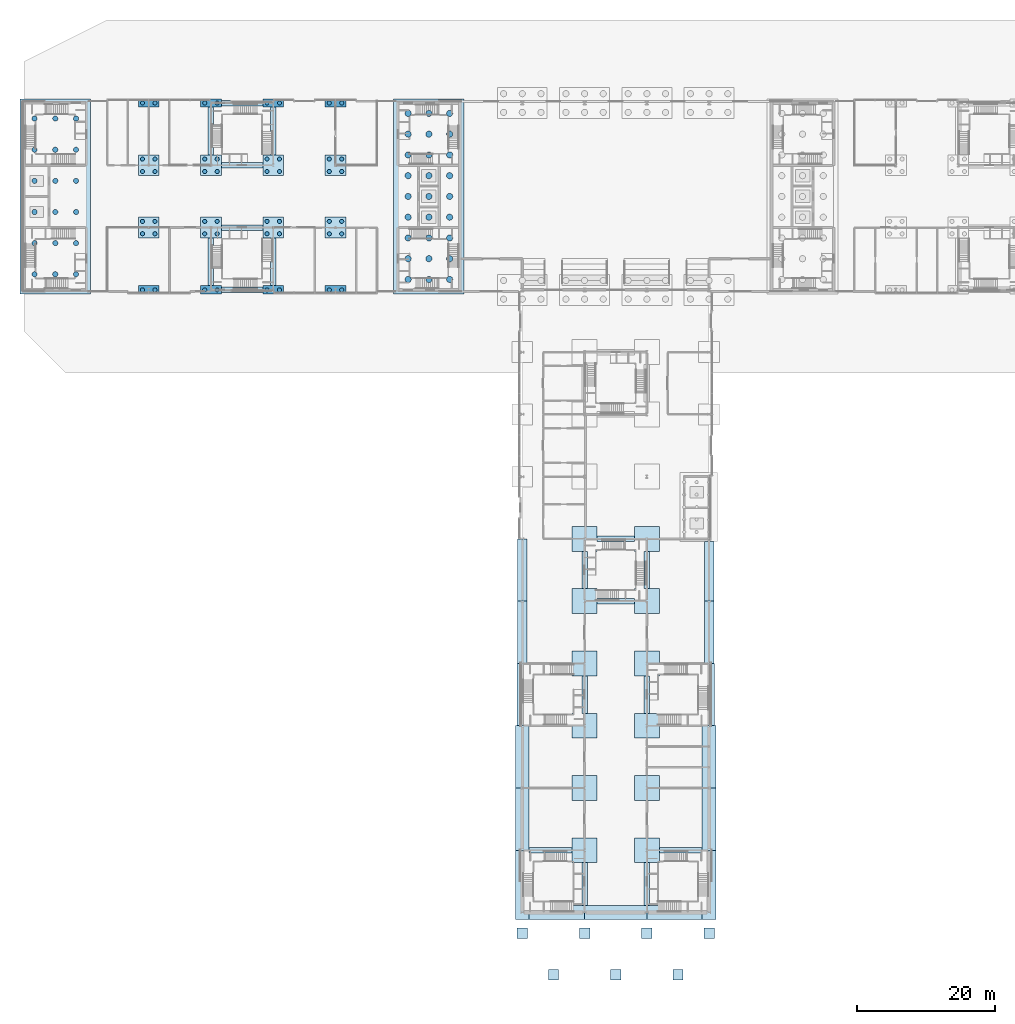
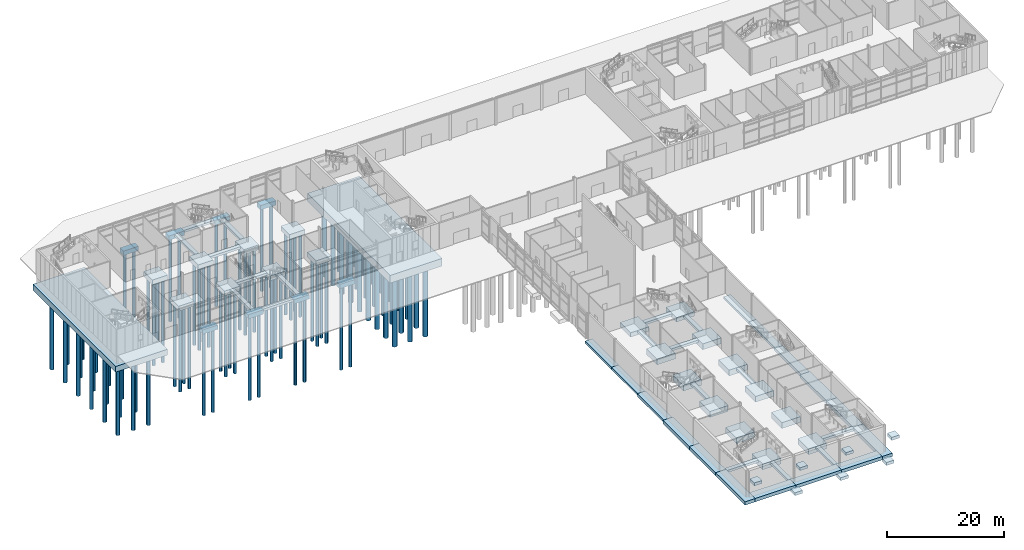
# One storey, part 1 of 45: 93 piles, 70 footings.
"""IFC4 building model written with IfcOpenShell, lengths in metres."""

from ifc_helpers import new_model, si_unit, direction, frame, origin, origin_2d, place, context, subcontext, project, spatial, rectangle, circle, extrude, material, layer, layer_set, material_profile, profile_set, type_object, element, save


model = new_model("IFC4")

# Units and contexts
model_context = context("Model", 3, precision=1e-05, world=origin(), true_north=direction((0.0, 1.0)))
body_context = subcontext(model_context, "Body", "Model", "MODEL_VIEW")
ifc_project = project(units=[si_unit("LENGTHUNIT", "METRE"), si_unit("AREAUNIT", "SQUARE_METRE"), si_unit("VOLUMEUNIT", "CUBIC_METRE"), si_unit("PLANEANGLEUNIT", "RADIAN"), si_unit("MASSUNIT", "GRAM", prefix="KILO")], contexts=[model_context])

# Site, building, storey
site_placement = place(None, origin())
site = spatial("IfcSite", under=ifc_project, at=site_placement, CompositionType="ELEMENT")
building_placement = place(site_placement, origin())
building = spatial("IfcBuilding", under=site, at=building_placement, Name="Azimuth Sports and Learning Centre", CompositionType="ELEMENT")
storey_placement = place(building_placement, origin())
storey = spatial("IfcBuildingStorey", under=building, at=storey_placement, Name="L00", CompositionType="ELEMENT", Elevation=0.0)

# Piles
ifc_material_1 = material(Name="Concrete C35/45", Category="concrete")
ifc_material_profile_1 = material_profile(ifc_material_1, circle(Radius=0.300048828125, at=origin_2d()), Name="BP 600")
ifc_profile_set_1 = profile_set([ifc_material_profile_1], Name="Concrete C35/45")
pile_type_1 = type_object("IfcPileType", Name="Bored pile BP 600", PredefinedType="BORED", material=ifc_profile_set_1)
for number, where, z_axis, x_axis, name in (
    (1, (17.10009765625, 90.0, -1.199951171875), (0.0, 0.0, -1.0), (1.0, 0.0, 0.0), "Pile CAP-3L 1"),
    (2, (18.89990234375, 90.0, -1.199951171875), (0.0, 0.0, -1.0), (1.0, 0.0, 0.0), "Pile CAP-3L 2"),
    (3, (26.10009765625, 90.0, -1.199951171875), (0.0, 0.0, -1.0), (1.0, 0.0, 0.0), "Pile CAP-4L 1"),
    (4, (27.89990234375, 90.0, -1.199951171875), (0.0, 0.0, -1.0), (1.0, 0.0, 0.0), "Pile CAP-4L 2"),
    (5, (35.10009765625, 90.0, -1.199951171875), (0.0, 0.0, -1.0), (1.0, 0.0, 0.0), "Pile CAP-5L 1"),
    (6, (36.89990234375, 90.0, -1.199951171875), (0.0, 0.0, -1.0), (1.0, 0.0, 0.0), "Pile CAP-5L 2"),
    (7, (44.10009765625, 90.0, -1.199951171875), (0.0, 0.0, -1.0), (1.0, 0.0, 0.0), "Pile CAP-6L 1"),
    (8, (45.89990234375, 90.0, -1.199951171875), (0.0, 0.0, -1.0), (1.0, 0.0, 0.0), "Pile CAP-6L 2"),
):
    element("IfcPile", number, at=place(storey_placement, frame(where, z_axis=z_axis, x_axis=x_axis)), inside=storey, type_object=pile_type_1, Name=name, PredefinedType="BORED", context=body_context, shape_type="SweptSolid", body=[
        extrude(circle(Radius=0.300048828125, at=origin_2d()), origin(), (0.0, 0.0, 1.0), 17.300048828125),
    ])
for number, where, z_axis, x_axis, name in (
    (9, (17.10009765625, 98.10009765625, -1.300048828125), (0.0, 0.0, -1.0), (1.0, 0.0, 0.0), "Pile CAP-3M 1"),
    (10, (18.89990234375, 98.10009765625, -1.300048828125), (0.0, 0.0, -1.0), (1.0, 0.0, 0.0), "Pile CAP-3M 2"),
    (11, (17.10009765625, 99.89990234375, -1.300048828125), (0.0, 0.0, -1.0), (1.0, 0.0, 0.0), "Pile CAP-3M 3"),
    (12, (18.89990234375, 99.89990234375, -1.300048828125), (0.0, 0.0, -1.0), (1.0, 0.0, 0.0), "Pile CAP-3M 4"),
    (13, (26.10009765625, 98.10009765625, -1.300048828125), (0.0, 0.0, -1.0), (1.0, 0.0, 0.0), "Pile CAP-4M 1"),
    (14, (27.89990234375, 98.10009765625, -1.300048828125), (0.0, 0.0, -1.0), (1.0, 0.0, 0.0), "Pile CAP-4M 2"),
    (15, (26.10009765625, 99.89990234375, -1.300048828125), (0.0, 0.0, -1.0), (1.0, 0.0, 0.0), "Pile CAP-4M 3"),
    (16, (27.89990234375, 99.89990234375, -1.300048828125), (0.0, 0.0, -1.0), (1.0, 0.0, 0.0), "Pile CAP-4M 4"),
    (17, (35.10009765625, 98.10009765625, -1.300048828125), (0.0, 0.0, -1.0), (1.0, 0.0, 0.0), "Pile CAP-5M 1"),
    (18, (36.89990234375, 98.10009765625, -1.300048828125), (0.0, 0.0, -1.0), (1.0, 0.0, 0.0), "Pile CAP-5M 2"),
    (19, (35.10009765625, 99.89990234375, -1.300048828125), (0.0, 0.0, -1.0), (1.0, 0.0, 0.0), "Pile CAP-5M 3"),
    (20, (36.89990234375, 99.89990234375, -1.300048828125), (0.0, 0.0, -1.0), (1.0, 0.0, 0.0), "Pile CAP-5M 4"),
    (21, (44.10009765625, 98.10009765625, -1.300048828125), (0.0, 0.0, -1.0), (1.0, 0.0, 0.0), "Pile CAP-6M 1"),
    (22, (45.89990234375, 98.10009765625, -1.300048828125), (0.0, 0.0, -1.0), (1.0, 0.0, 0.0), "Pile CAP-6M 2"),
    (23, (44.10009765625, 99.89990234375, -1.300048828125), (0.0, 0.0, -1.0), (1.0, 0.0, 0.0), "Pile CAP-6M 3"),
    (24, (45.89990234375, 99.89990234375, -1.300048828125), (0.0, 0.0, -1.0), (1.0, 0.0, 0.0), "Pile CAP-6M 4"),
    (25, (17.10009765625, 107.10009765625, -1.300048828125), (0.0, 0.0, -1.0), (1.0, 0.0, 0.0), "Pile CAP-3N 1"),
    (26, (18.89990234375, 107.10009765625, -1.300048828125), (0.0, 0.0, -1.0), (1.0, 0.0, 0.0), "Pile CAP-3N 2"),
    (27, (17.10009765625, 108.89990234375, -1.300048828125), (0.0, 0.0, -1.0), (1.0, 0.0, 0.0), "Pile CAP-3N 3"),
    (28, (18.89990234375, 108.89990234375, -1.300048828125), (0.0, 0.0, -1.0), (1.0, 0.0, 0.0), "Pile CAP-3N 4"),
    (29, (26.10009765625, 107.10009765625, -1.300048828125), (0.0, 0.0, -1.0), (1.0, 0.0, 0.0), "Pile CAP-4N 1"),
    (30, (27.89990234375, 107.10009765625, -1.300048828125), (0.0, 0.0, -1.0), (1.0, 0.0, 0.0), "Pile CAP-4N 2"),
    (31, (26.10009765625, 108.89990234375, -1.300048828125), (0.0, 0.0, -1.0), (1.0, 0.0, 0.0), "Pile CAP-4N 3"),
    (32, (27.89990234375, 108.89990234375, -1.300048828125), (0.0, 0.0, -1.0), (1.0, 0.0, 0.0), "Pile CAP-4N 4"),
    (33, (35.10009765625, 107.10009765625, -1.300048828125), (0.0, 0.0, -1.0), (1.0, 0.0, 0.0), "Pile CAP-5N 1"),
    (34, (36.89990234375, 107.10009765625, -1.300048828125), (0.0, 0.0, -1.0), (1.0, 0.0, 0.0), "Pile CAP-5N 2"),
    (35, (35.10009765625, 108.89990234375, -1.300048828125), (0.0, 0.0, -1.0), (1.0, 0.0, 0.0), "Pile CAP-5N 3"),
    (36, (36.89990234375, 108.89990234375, -1.300048828125), (0.0, 0.0, -1.0), (1.0, 0.0, 0.0), "Pile CAP-5N 4"),
    (37, (44.10009765625, 107.10009765625, -1.300048828125), (0.0, 0.0, -1.0), (1.0, 0.0, 0.0), "Pile CAP-6N 1"),
    (38, (45.89990234375, 107.10009765625, -1.300048828125), (0.0, 0.0, -1.0), (1.0, 0.0, 0.0), "Pile CAP-6N 2"),
    (39, (44.10009765625, 108.89990234375, -1.300048828125), (0.0, 0.0, -1.0), (1.0, 0.0, 0.0), "Pile CAP-6N 3"),
    (40, (45.89990234375, 108.89990234375, -1.300048828125), (0.0, 0.0, -1.0), (1.0, 0.0, 0.0), "Pile CAP-6N 4"),
):
    element("IfcPile", number, at=place(storey_placement, frame(where, z_axis=z_axis, x_axis=x_axis)), inside=storey, type_object=pile_type_1, Name=name, PredefinedType="BORED", context=body_context, shape_type="SweptSolid", body=[
        extrude(circle(Radius=0.300048828125, at=origin_2d()), origin(), (0.0, 0.0, 1.0), 17.199951171875),
    ])
for number, where, z_axis, x_axis, name in (
    (41, (17.10009765625, 117.0, -1.199951171875), (0.0, 0.0, -1.0), (1.0, 0.0, 0.0), "Pile CAP-3P 1"),
    (42, (18.89990234375, 117.0, -1.199951171875), (0.0, 0.0, -1.0), (1.0, 0.0, 0.0), "Pile CAP-3P 2"),
    (43, (26.10009765625, 117.0, -1.199951171875), (0.0, 0.0, -1.0), (1.0, 0.0, 0.0), "Pile CAP-4P 1"),
    (44, (27.89990234375, 117.0, -1.199951171875), (0.0, 0.0, -1.0), (1.0, 0.0, 0.0), "Pile CAP-4P 2"),
    (45, (35.10009765625, 117.0, -1.199951171875), (0.0, 0.0, -1.0), (1.0, 0.0, 0.0), "Pile CAP-5P 1"),
    (46, (36.89990234375, 117.0, -1.199951171875), (0.0, 0.0, -1.0), (1.0, 0.0, 0.0), "Pile CAP-5P 2"),
    (47, (44.10009765625, 117.0, -1.199951171875), (0.0, 0.0, -1.0), (1.0, 0.0, 0.0), "Pile CAP-6P 1"),
    (48, (45.89990234375, 117.0, -1.199951171875), (0.0, 0.0, -1.0), (1.0, 0.0, 0.0), "Pile CAP-6P 2"),
):
    element("IfcPile", number, at=place(storey_placement, frame(where, z_axis=z_axis, x_axis=x_axis)), inside=storey, type_object=pile_type_1, Name=name, PredefinedType="BORED", context=body_context, shape_type="SweptSolid", body=[
        extrude(circle(Radius=0.300048828125, at=origin_2d()), origin(), (0.0, 0.0, 1.0), 17.300048828125),
    ])
ifc_material_2 = material(Name="Concrete C35/45", Category="concrete")
ifc_material_profile_2 = material_profile(ifc_material_2, circle(Radius=0.375, at=origin_2d()), Name="BP 750")
ifc_profile_set_2 = profile_set([ifc_material_profile_2], Name="Concrete C35/45")
pile_type_2 = type_object("IfcPileType", Name="Bored pile BP 750", PredefinedType="BORED", material=ifc_profile_set_2)
for number, where, z_axis, x_axis, name in (
    (49, (1.5, 92.25, -3.10009765625), (0.0, 0.0, -1.0), (1.0, 0.0, 0.0), "Pile RAFT-WW 1"),
    (50, (4.5, 92.25, -3.10009765625), (0.0, 0.0, -1.0), (1.0, 0.0, 0.0), "Pile RAFT-WW 2"),
    (51, (7.5, 92.25, -3.10009765625), (0.0, 0.0, -1.0), (1.0, 0.0, 0.0), "Pile RAFT-WW 3"),
    (52, (1.5, 96.75, -3.10009765625), (0.0, 0.0, -1.0), (1.0, 0.0, 0.0), "Pile RAFT-WW 4"),
    (53, (4.5, 96.75, -3.10009765625), (0.0, 0.0, -1.0), (1.0, 0.0, 0.0), "Pile RAFT-WW 5"),
    (54, (7.5, 96.75, -3.10009765625), (0.0, 0.0, -1.0), (1.0, 0.0, 0.0), "Pile RAFT-WW 6"),
    (55, (1.5, 101.25, -3.10009765625), (0.0, 0.0, -1.0), (1.0, 0.0, 0.0), "Pile RAFT-WW 7"),
    (56, (4.5, 101.25, -3.10009765625), (0.0, 0.0, -1.0), (1.0, 0.0, 0.0), "Pile RAFT-WW 8"),
    (57, (7.5, 101.25, -3.10009765625), (0.0, 0.0, -1.0), (1.0, 0.0, 0.0), "Pile RAFT-WW 9"),
    (58, (1.5, 105.75, -3.10009765625), (0.0, 0.0, -1.0), (1.0, 0.0, 0.0), "Pile RAFT-WW 10"),
    (59, (4.5, 105.75, -3.10009765625), (0.0, 0.0, -1.0), (1.0, 0.0, 0.0), "Pile RAFT-WW 11"),
    (60, (7.5, 105.75, -3.10009765625), (0.0, 0.0, -1.0), (1.0, 0.0, 0.0), "Pile RAFT-WW 12"),
    (61, (1.5, 110.25, -3.10009765625), (0.0, 0.0, -1.0), (1.0, 0.0, 0.0), "Pile RAFT-WW 13"),
    (62, (4.5, 110.25, -3.10009765625), (0.0, 0.0, -1.0), (1.0, 0.0, 0.0), "Pile RAFT-WW 14"),
    (63, (7.5, 110.25, -3.10009765625), (0.0, 0.0, -1.0), (1.0, 0.0, 0.0), "Pile RAFT-WW 15"),
    (64, (1.5, 114.75, -3.10009765625), (0.0, 0.0, -1.0), (1.0, 0.0, 0.0), "Pile RAFT-WW 16"),
    (65, (4.5, 114.75, -3.10009765625), (0.0, 0.0, -1.0), (1.0, 0.0, 0.0), "Pile RAFT-WW 17"),
    (66, (7.5, 114.75, -3.10009765625), (0.0, 0.0, -1.0), (1.0, 0.0, 0.0), "Pile RAFT-WW 18"),
):
    element("IfcPile", number, at=place(storey_placement, frame(where, z_axis=z_axis, x_axis=x_axis)), inside=storey, type_object=pile_type_2, Name=name, PredefinedType="BORED", context=body_context, shape_type="SweptSolid", body=[
        extrude(circle(Radius=0.375, at=origin_2d()), origin(), (0.0, 0.0, 1.0), 15.39990234375),
    ])
ifc_material_3 = material(Name="Concrete C35/45", Category="concrete")
ifc_material_profile_3 = material_profile(ifc_material_3, circle(Radius=0.449951171875, at=origin_2d()), Name="BP 900")
ifc_profile_set_3 = profile_set([ifc_material_profile_3], Name="Concrete C35/45")
pile_type_3 = type_object("IfcPileType", Name="Bored pile BP 900", PredefinedType="BORED", material=ifc_profile_set_3)
for number, where, z_axis, x_axis, name in (
    (67, (55.5, 91.5, -3.5), (0.0, 0.0, -1.0), (1.0, 0.0, 0.0), "Pile RAFT-W 1"),
    (68, (58.5, 91.5, -3.5), (0.0, 0.0, -1.0), (1.0, 0.0, 0.0), "Pile RAFT-W 2"),
    (69, (61.5, 91.5, -3.5), (0.0, 0.0, -1.0), (1.0, 0.0, 0.0), "Pile RAFT-W 3"),
    (70, (55.5, 94.5, -3.5), (0.0, 0.0, -1.0), (1.0, 0.0, 0.0), "Pile RAFT-W 4"),
    (71, (58.5, 94.5, -3.5), (0.0, 0.0, -1.0), (1.0, 0.0, 0.0), "Pile RAFT-W 5"),
    (72, (61.5, 94.5, -3.5), (0.0, 0.0, -1.0), (1.0, 0.0, 0.0), "Pile RAFT-W 6"),
    (73, (55.5, 97.5, -3.5), (0.0, 0.0, -1.0), (1.0, 0.0, 0.0), "Pile RAFT-W 7"),
    (74, (58.5, 97.5, -3.5), (0.0, 0.0, -1.0), (1.0, 0.0, 0.0), "Pile RAFT-W 8"),
    (75, (61.5, 97.5, -3.5), (0.0, 0.0, -1.0), (1.0, 0.0, 0.0), "Pile RAFT-W 9"),
    (76, (55.5, 100.5, -3.5), (0.0, 0.0, -1.0), (1.0, 0.0, 0.0), "Pile RAFT-W 10"),
    (77, (58.5, 100.5, -3.5), (0.0, 0.0, -1.0), (1.0, 0.0, 0.0), "Pile RAFT-W 11"),
    (78, (61.5, 100.5, -3.5), (0.0, 0.0, -1.0), (1.0, 0.0, 0.0), "Pile RAFT-W 12"),
    (79, (55.5, 103.5, -3.5), (0.0, 0.0, -1.0), (1.0, 0.0, 0.0), "Pile RAFT-W 13"),
    (80, (58.5, 103.5, -3.5), (0.0, 0.0, -1.0), (1.0, 0.0, 0.0), "Pile RAFT-W 14"),
    (81, (61.5, 103.5, -3.5), (0.0, 0.0, -1.0), (1.0, 0.0, 0.0), "Pile RAFT-W 15"),
    (82, (55.5, 106.5, -3.5), (0.0, 0.0, -1.0), (1.0, 0.0, 0.0), "Pile RAFT-W 16"),
    (83, (58.5, 106.5, -3.5), (0.0, 0.0, -1.0), (1.0, 0.0, 0.0), "Pile RAFT-W 17"),
    (84, (61.5, 106.5, -3.5), (0.0, 0.0, -1.0), (1.0, 0.0, 0.0), "Pile RAFT-W 18"),
    (85, (55.5, 109.5, -3.5), (0.0, 0.0, -1.0), (1.0, 0.0, 0.0), "Pile RAFT-W 19"),
    (86, (58.5, 109.5, -3.5), (0.0, 0.0, -1.0), (1.0, 0.0, 0.0), "Pile RAFT-W 20"),
    (87, (61.5, 109.5, -3.5), (0.0, 0.0, -1.0), (1.0, 0.0, 0.0), "Pile RAFT-W 21"),
    (88, (55.5, 112.5, -3.5), (0.0, 0.0, -1.0), (1.0, 0.0, 0.0), "Pile RAFT-W 22"),
    (89, (58.5, 112.5, -3.5), (0.0, 0.0, -1.0), (1.0, 0.0, 0.0), "Pile RAFT-W 23"),
    (90, (61.5, 112.5, -3.5), (0.0, 0.0, -1.0), (1.0, 0.0, 0.0), "Pile RAFT-W 24"),
    (91, (55.5, 115.5, -3.5), (0.0, 0.0, -1.0), (1.0, 0.0, 0.0), "Pile RAFT-W 25"),
    (92, (58.5, 115.5, -3.5), (0.0, 0.0, -1.0), (1.0, 0.0, 0.0), "Pile RAFT-W 26"),
    (93, (61.5, 115.5, -3.5), (0.0, 0.0, -1.0), (1.0, 0.0, 0.0), "Pile RAFT-W 27"),
):
    element("IfcPile", number, at=place(storey_placement, frame(where, z_axis=z_axis, x_axis=x_axis)), inside=storey, type_object=pile_type_3, Name=name, PredefinedType="BORED", context=body_context, shape_type="SweptSolid", body=[
        extrude(circle(Radius=0.449951171875, at=origin_2d()), origin(), (0.0, 0.0, 1.0), 15.0),
    ])

# Footings
ifc_material_4 = material(Name="Concrete C35/45", Category="concrete")
ifc_layer_1 = layer(ifc_material_4, 1.199951171875)
ifc_layer_set_1 = layer_set([ifc_layer_1], Name="Concrete C35/45")
footing_type_1 = type_object("IfcFootingType", Name="Core raft 10200x28200x1200", PredefinedType="PILE_CAP", material=ifc_layer_set_1)
footing_1_placement = place(storey_placement, frame((4.5, 103.5, -3.10009765625), z_axis=(0.0, 0.0, 1.0), x_axis=(1.0, 0.0, 0.0)))
element("IfcFooting", 94, at=footing_1_placement, inside=storey, type_object=footing_type_1, Name="Raft core WW", PredefinedType="PILE_CAP", context=body_context, shape_type="SweptSolid", body=[
    extrude(rectangle(XDim=10.199951171875, YDim=28.199951171875, at=origin_2d()), origin(), (0.0, 0.0, 1.0), 1.199951171875),
])
ifc_material_5 = material(Name="Concrete C35/45", Category="concrete")
ifc_layer_2 = layer(ifc_material_5, 1.60009765625)
ifc_layer_set_2 = layer_set([ifc_layer_2], Name="Concrete C35/45")
footing_type_2 = type_object("IfcFootingType", Name="Core raft 10200x28200x1600", PredefinedType="PILE_CAP", material=ifc_layer_set_2)
footing_2_placement = place(storey_placement, frame((58.5, 103.5, -3.5), z_axis=(0.0, 0.0, 1.0), x_axis=(1.0, 0.0, 0.0)))
element("IfcFooting", 95, at=footing_2_placement, inside=storey, type_object=footing_type_2, Name="Raft core W", PredefinedType="PILE_CAP", context=body_context, shape_type="SweptSolid", body=[
    extrude(rectangle(XDim=10.199951171875, YDim=28.199951171875, at=origin_2d()), origin(), (0.0, 0.0, 1.0), 1.60009765625),
])
ifc_material_6 = material(Name="Concrete C35/45", Category="concrete")
ifc_layer_3 = layer(ifc_material_6, 0.60009765625)
ifc_layer_set_3 = layer_set([ifc_layer_3], Name="Concrete C35/45")
footing_type_3 = type_object("IfcFootingType", Name="Pad footing 1500x1500x600", PredefinedType="PAD_FOOTING", material=ifc_layer_set_3)
for number, where, z_axis, x_axis, name in (
    (96, (72.0, -3.0, 4.599853515625), (0.0, 0.0, 1.0), (1.0, 0.0, 0.0), "Plaza pad 1"),
    (97, (81.0, -3.0, 4.599853515625), (0.0, 0.0, 1.0), (1.0, 0.0, 0.0), "Plaza pad 2"),
    (98, (90.0, -3.0, 4.599853515625), (0.0, 0.0, 1.0), (1.0, 0.0, 0.0), "Plaza pad 3"),
    (99, (99.0, -3.0, 4.599853515625), (0.0, 0.0, 1.0), (1.0, 0.0, 0.0), "Plaza pad 4"),
    (100, (76.5, -9.0, 4.599853515625), (0.0, 0.0, 1.0), (1.0, 0.0, 0.0), "Plaza pad 5"),
    (101, (85.5, -9.0, 4.599853515625), (0.0, 0.0, 1.0), (1.0, 0.0, 0.0), "Plaza pad 6"),
    (102, (94.5, -9.0, 4.599853515625), (0.0, 0.0, 1.0), (1.0, 0.0, 0.0), "Plaza pad 7"),
):
    element("IfcFooting", number, at=place(storey_placement, frame(where, z_axis=z_axis, x_axis=x_axis)), inside=storey, type_object=footing_type_3, Name=name, PredefinedType="PAD_FOOTING", context=body_context, shape_type="SweptSolid", body=[
        extrude(rectangle(XDim=1.5, YDim=1.5, at=origin_2d()), origin(), (0.0, 0.0, 1.0), 0.60009765625),
    ])
ifc_material_7 = material(Name="Concrete C35/45", Category="concrete")
ifc_layer_4 = layer(ifc_material_7, 1.199951171875)
ifc_layer_set_4 = layer_set([ifc_layer_4], Name="Concrete C35/45")
footing_type_4 = type_object("IfcFootingType", Name="Pad footing 3600x3600x1200", PredefinedType="PAD_FOOTING", material=ifc_layer_set_4)
for number, where, z_axis, x_axis, name in (
    (103, (81.0, 9.0, -1.5), (0.0, 0.0, 1.0), (1.0, 0.0, 0.0), "Pad 10B"),
    (104, (90.0, 9.0, -1.5), (0.0, 0.0, 1.0), (1.0, 0.0, 0.0), "Pad 11B"),
    (105, (81.0, 18.0, -1.5), (0.0, 0.0, 1.0), (1.0, 0.0, 0.0), "Pad 10C"),
    (106, (90.0, 18.0, -1.5), (0.0, 0.0, 1.0), (1.0, 0.0, 0.0), "Pad 11C"),
    (107, (81.0, 27.0, -1.5), (0.0, 0.0, 1.0), (1.0, 0.0, 0.0), "Pad 10D"),
    (108, (90.0, 27.0, -1.5), (0.0, 0.0, 1.0), (1.0, 0.0, 0.0), "Pad 11D"),
    (109, (81.0, 36.0, -1.5), (0.0, 0.0, 1.0), (1.0, 0.0, 0.0), "Pad 10E"),
    (110, (90.0, 36.0, -1.5), (0.0, 0.0, 1.0), (1.0, 0.0, 0.0), "Pad 11E"),
    (111, (81.0, 45.0, -1.5), (0.0, 0.0, 1.0), (1.0, 0.0, 0.0), "Pad 10F"),
    (112, (90.0, 45.0, -1.5), (0.0, 0.0, 1.0), (1.0, 0.0, 0.0), "Pad 11F"),
):
    element("IfcFooting", number, at=place(storey_placement, frame(where, z_axis=z_axis, x_axis=x_axis)), inside=storey, type_object=footing_type_4, Name=name, PredefinedType="PAD_FOOTING", context=body_context, shape_type="SweptSolid", body=[
        extrude(rectangle(XDim=3.60009765625, YDim=3.60009765625, at=origin_2d()), origin(), (0.0, 0.0, 1.0), 1.199951171875),
    ])
ifc_material_8 = material(Name="Concrete C35/45", Category="concrete")
ifc_layer_5 = layer(ifc_material_8, 0.89990234375)
ifc_layer_set_5 = layer_set([ifc_layer_5], Name="Concrete C35/45")
footing_type_5 = type_object("IfcFootingType", Name="Pad footing 3600x3600x900", PredefinedType="PAD_FOOTING", material=ifc_layer_set_5)
for number, where, z_axis, x_axis, name in (
    (113, (81.0, 54.0, -1.199951171875), (0.0, 0.0, 1.0), (1.0, 0.0, 0.0), "Pad 10G"),
    (114, (90.0, 54.0, -1.199951171875), (0.0, 0.0, 1.0), (1.0, 0.0, 0.0), "Pad 11G"),
):
    element("IfcFooting", number, at=place(storey_placement, frame(where, z_axis=z_axis, x_axis=x_axis)), inside=storey, type_object=footing_type_5, Name=name, PredefinedType="PAD_FOOTING", context=body_context, shape_type="SweptSolid", body=[
        extrude(rectangle(XDim=3.60009765625, YDim=3.60009765625, at=origin_2d()), origin(), (0.0, 0.0, 1.0), 0.89990234375),
    ])
ifc_material_9 = material(Name="Concrete C35/45", Category="concrete")
ifc_layer_6 = layer(ifc_material_9, 0.89990234375)
ifc_layer_set_6 = layer_set([ifc_layer_6], Name="Concrete C35/45")
footing_type_6 = type_object("IfcFootingType", Name="Pile cap 3000x1200x900", PredefinedType="PILE_CAP", material=ifc_layer_set_6)
for number, where, z_axis, x_axis, name in (
    (115, (18.0, 90.0, -1.199951171875), (0.0, 0.0, 1.0), (1.0, 0.0, 0.0), "Cap 3L"),
    (116, (27.0, 90.0, -1.199951171875), (0.0, 0.0, 1.0), (1.0, 0.0, 0.0), "Cap 4L"),
    (117, (36.0, 90.0, -1.199951171875), (0.0, 0.0, 1.0), (1.0, 0.0, 0.0), "Cap 5L"),
    (118, (45.0, 90.0, -1.199951171875), (0.0, 0.0, 1.0), (1.0, 0.0, 0.0), "Cap 6L"),
    (119, (18.0, 117.0, -1.199951171875), (0.0, 0.0, 1.0), (1.0, 0.0, 0.0), "Cap 3P"),
    (120, (27.0, 117.0, -1.199951171875), (0.0, 0.0, 1.0), (1.0, 0.0, 0.0), "Cap 4P"),
    (121, (36.0, 117.0, -1.199951171875), (0.0, 0.0, 1.0), (1.0, 0.0, 0.0), "Cap 5P"),
    (122, (45.0, 117.0, -1.199951171875), (0.0, 0.0, 1.0), (1.0, 0.0, 0.0), "Cap 6P"),
):
    element("IfcFooting", number, at=place(storey_placement, frame(where, z_axis=z_axis, x_axis=x_axis)), inside=storey, type_object=footing_type_6, Name=name, PredefinedType="PILE_CAP", context=body_context, shape_type="SweptSolid", body=[
        extrude(rectangle(XDim=3.0, YDim=1.199951171875, at=origin_2d()), origin(), (0.0, 0.0, 1.0), 0.89990234375),
    ])
ifc_material_10 = material(Name="Concrete C35/45", Category="concrete")
ifc_layer_7 = layer(ifc_material_10, 1.0)
ifc_layer_set_7 = layer_set([ifc_layer_7], Name="Concrete C35/45")
footing_type_7 = type_object("IfcFootingType", Name="Pile cap 3000x3000x1000", PredefinedType="PILE_CAP", material=ifc_layer_set_7)
for number, where, z_axis, x_axis, name in (
    (123, (18.0, 99.0, -1.300048828125), (0.0, 0.0, 1.0), (1.0, 0.0, 0.0), "Cap 3M"),
    (124, (27.0, 99.0, -1.300048828125), (0.0, 0.0, 1.0), (1.0, 0.0, 0.0), "Cap 4M"),
    (125, (36.0, 99.0, -1.300048828125), (0.0, 0.0, 1.0), (1.0, 0.0, 0.0), "Cap 5M"),
    (126, (45.0, 99.0, -1.300048828125), (0.0, 0.0, 1.0), (1.0, 0.0, 0.0), "Cap 6M"),
    (127, (18.0, 108.0, -1.300048828125), (0.0, 0.0, 1.0), (1.0, 0.0, 0.0), "Cap 3N"),
    (128, (27.0, 108.0, -1.300048828125), (0.0, 0.0, 1.0), (1.0, 0.0, 0.0), "Cap 4N"),
    (129, (36.0, 108.0, -1.300048828125), (0.0, 0.0, 1.0), (1.0, 0.0, 0.0), "Cap 5N"),
    (130, (45.0, 108.0, -1.300048828125), (0.0, 0.0, 1.0), (1.0, 0.0, 0.0), "Cap 6N"),
):
    element("IfcFooting", number, at=place(storey_placement, frame(where, z_axis=z_axis, x_axis=x_axis)), inside=storey, type_object=footing_type_7, Name=name, PredefinedType="PILE_CAP", context=body_context, shape_type="SweptSolid", body=[
        extrude(rectangle(XDim=3.0, YDim=3.0, at=origin_2d()), origin(), (0.0, 0.0, 1.0), 1.0),
    ])
ifc_material_11 = material(Name="Concrete C35/45", Category="concrete")
ifc_layer_8 = layer(ifc_material_11, 0.5)
ifc_layer_set_8 = layer_set([ifc_layer_8], Name="Concrete C35/45")
footing_type_8 = type_object("IfcFootingType", Name="Strip footing 1400x500", PredefinedType="STRIP_FOOTING", material=ifc_layer_set_8)
for number, where, z_axis, x_axis, name in (
    (131, (72.0, 40.5, -0.800048828125), (0.0, 0.0, 1.0), (1.0, 0.0, 0.0), "Strip footing RW-W5"),
    (132, (72.0, 49.5, -0.800048828125), (0.0, 0.0, 1.0), (1.0, 0.0, 0.0), "Strip footing RW-W6"),
    (133, (99.0, 40.5, -0.800048828125), (0.0, 0.0, 1.0), (1.0, 0.0, 0.0), "Strip footing RW-E5"),
):
    element("IfcFooting", number, at=place(storey_placement, frame(where, z_axis=z_axis, x_axis=x_axis)), inside=storey, type_object=footing_type_8, Name=name, PredefinedType="STRIP_FOOTING", context=body_context, shape_type="SweptSolid", body=[
        extrude(rectangle(XDim=1.39990234375, YDim=9.0, at=origin_2d()), origin(), (0.0, 0.0, 1.0), 0.5),
    ])
footing_3_placement = place(storey_placement, frame((99.0, 49.300048828125, -0.800048828125), z_axis=(0.0, 0.0, 1.0), x_axis=(1.0, 0.0, 0.0)))
element("IfcFooting", 134, at=footing_3_placement, inside=storey, type_object=footing_type_8, Name="Strip footing RW-E6", PredefinedType="STRIP_FOOTING", context=body_context, shape_type="SweptSolid", body=[
    extrude(rectangle(XDim=1.39990234375, YDim=8.60009765625, at=origin_2d()), origin(), (0.0, 0.0, 1.0), 0.5),
])
ifc_material_12 = material(Name="Concrete C35/45", Category="concrete")
ifc_layer_9 = layer(ifc_material_12, 0.60009765625)
ifc_layer_set_9 = layer_set([ifc_layer_9], Name="Concrete C35/45")
footing_type_9 = type_object("IfcFootingType", Name="Strip footing 1600x600", PredefinedType="STRIP_FOOTING", material=ifc_layer_set_9)
for number, where, z_axis, x_axis, name in (
    (135, (72.0, 31.5, -0.900146484375), (0.0, 0.0, 1.0), (1.0, 0.0, 0.0), "Strip footing RW-W4"),
    (136, (99.0, 31.5, -0.900146484375), (0.0, 0.0, 1.0), (1.0, 0.0, 0.0), "Strip footing RW-E4"),
):
    element("IfcFooting", number, at=place(storey_placement, frame(where, z_axis=z_axis, x_axis=x_axis)), inside=storey, type_object=footing_type_9, Name=name, PredefinedType="STRIP_FOOTING", context=body_context, shape_type="SweptSolid", body=[
        extrude(rectangle(XDim=1.60009765625, YDim=9.0, at=origin_2d()), origin(), (0.0, 0.0, 1.0), 0.60009765625),
    ])
ifc_material_13 = material(Name="Concrete C35/45", Category="concrete")
ifc_layer_10 = layer(ifc_material_13, 0.699951171875)
ifc_layer_set_10 = layer_set([ifc_layer_10], Name="Concrete C35/45")
footing_type_10 = type_object("IfcFootingType", Name="Strip footing 2000x700", PredefinedType="STRIP_FOOTING", material=ifc_layer_set_10)
footing_4_placement = place(storey_placement, frame((72.0, 4.0, -1.0), z_axis=(0.0, 0.0, 1.0), x_axis=(1.0, 0.0, 0.0)))
element("IfcFooting", 137, at=footing_4_placement, inside=storey, type_object=footing_type_10, Name="Strip footing RW-W1", PredefinedType="STRIP_FOOTING", context=body_context, shape_type="SweptSolid", body=[
    extrude(rectangle(XDim=2.0, YDim=10.0, at=origin_2d()), origin(), (0.0, 0.0, 1.0), 0.699951171875),
])
for number, where, z_axis, x_axis, name in (
    (138, (72.0, 13.5, -1.0), (0.0, 0.0, 1.0), (1.0, 0.0, 0.0), "Strip footing RW-W2"),
    (139, (72.0, 22.5, -1.0), (0.0, 0.0, 1.0), (1.0, 0.0, 0.0), "Strip footing RW-W3"),
):
    element("IfcFooting", number, at=place(storey_placement, frame(where, z_axis=z_axis, x_axis=x_axis)), inside=storey, type_object=footing_type_10, Name=name, PredefinedType="STRIP_FOOTING", context=body_context, shape_type="SweptSolid", body=[
        extrude(rectangle(XDim=2.0, YDim=9.0, at=origin_2d()), origin(), (0.0, 0.0, 1.0), 0.699951171875),
    ])
footing_5_placement = place(storey_placement, frame((99.0, 4.0, -1.0), z_axis=(0.0, 0.0, 1.0), x_axis=(1.0, 0.0, 0.0)))
element("IfcFooting", 140, at=footing_5_placement, inside=storey, type_object=footing_type_10, Name="Strip footing RW-E1", PredefinedType="STRIP_FOOTING", context=body_context, shape_type="SweptSolid", body=[
    extrude(rectangle(XDim=2.0, YDim=10.0, at=origin_2d()), origin(), (0.0, 0.0, 1.0), 0.699951171875),
])
for number, where, z_axis, x_axis, name in (
    (141, (99.0, 13.5, -1.0), (0.0, 0.0, 1.0), (1.0, 0.0, 0.0), "Strip footing RW-E2"),
    (142, (99.0, 22.5, -1.0), (0.0, 0.0, 1.0), (1.0, 0.0, 0.0), "Strip footing RW-E3"),
):
    element("IfcFooting", number, at=place(storey_placement, frame(where, z_axis=z_axis, x_axis=x_axis)), inside=storey, type_object=footing_type_10, Name=name, PredefinedType="STRIP_FOOTING", context=body_context, shape_type="SweptSolid", body=[
        extrude(rectangle(XDim=2.0, YDim=9.0, at=origin_2d()), origin(), (0.0, 0.0, 1.0), 0.699951171875),
    ])
footing_6_placement = place(storey_placement, frame((77.0, 0.0, -1.0), z_axis=(0.0, 0.0, 1.0), x_axis=(1.0, 0.0, 0.0)))
element("IfcFooting", 143, at=footing_6_placement, inside=storey, type_object=footing_type_10, Name="Strip footing RW-S1", PredefinedType="STRIP_FOOTING", context=body_context, shape_type="SweptSolid", body=[
    extrude(rectangle(XDim=8.0, YDim=2.0, at=origin_2d()), origin(), (0.0, 0.0, 1.0), 0.699951171875),
])
footing_7_placement = place(storey_placement, frame((85.5, 0.0, -1.0), z_axis=(0.0, 0.0, 1.0), x_axis=(1.0, 0.0, 0.0)))
element("IfcFooting", 144, at=footing_7_placement, inside=storey, type_object=footing_type_10, Name="Strip footing RW-S2", PredefinedType="STRIP_FOOTING", context=body_context, shape_type="SweptSolid", body=[
    extrude(rectangle(XDim=9.0, YDim=2.0, at=origin_2d()), origin(), (0.0, 0.0, 1.0), 0.699951171875),
])
footing_8_placement = place(storey_placement, frame((94.0, 0.0, -1.0), z_axis=(0.0, 0.0, 1.0), x_axis=(1.0, 0.0, 0.0)))
element("IfcFooting", 145, at=footing_8_placement, inside=storey, type_object=footing_type_10, Name="Strip footing RW-S3", PredefinedType="STRIP_FOOTING", context=body_context, shape_type="SweptSolid", body=[
    extrude(rectangle(XDim=8.0, YDim=2.0, at=origin_2d()), origin(), (0.0, 0.0, 1.0), 0.699951171875),
])
ifc_material_14 = material(Name="Concrete C35/45", Category="concrete")
ifc_layer_11 = layer(ifc_material_14, 0.5)
ifc_layer_set_11 = layer_set([ifc_layer_11], Name="Concrete C35/45")
footing_type_11 = type_object("IfcFootingType", Name="Strip footing 800x500", PredefinedType="STRIP_FOOTING", material=ifc_layer_set_11)
footing_9_placement = place(storey_placement, frame((76.10009765625, 9.0, -0.800048828125), z_axis=(0.0, 0.0, 1.0), x_axis=(1.0, 0.0, 0.0)))
element("IfcFooting", 146, at=footing_9_placement, inside=storey, type_object=footing_type_11, Name="Strip footing cell ST1 N1", PredefinedType="STRIP_FOOTING", context=body_context, shape_type="SweptSolid", body=[
    extrude(rectangle(XDim=6.199951171875, YDim=0.800048828125, at=origin_2d()), origin(), (0.0, 0.0, 1.0), 0.5),
])
footing_10_placement = place(storey_placement, frame((81.0, 4.10009765625, -0.800048828125), z_axis=(0.0, 0.0, 1.0), x_axis=(1.0, 0.0, 0.0)))
element("IfcFooting", 147, at=footing_10_placement, inside=storey, type_object=footing_type_11, Name="Strip footing cell ST1 E1", PredefinedType="STRIP_FOOTING", context=body_context, shape_type="SweptSolid", body=[
    extrude(rectangle(XDim=0.800048828125, YDim=6.199951171875, at=origin_2d()), origin(), (0.0, 0.0, 1.0), 0.5),
])
footing_11_placement = place(storey_placement, frame((94.89990234375, 9.0, -0.800048828125), z_axis=(0.0, 0.0, 1.0), x_axis=(1.0, 0.0, 0.0)))
element("IfcFooting", 148, at=footing_11_placement, inside=storey, type_object=footing_type_11, Name="Strip footing cell ST2 N1", PredefinedType="STRIP_FOOTING", context=body_context, shape_type="SweptSolid", body=[
    extrude(rectangle(XDim=6.199951171875, YDim=0.800048828125, at=origin_2d()), origin(), (0.0, 0.0, 1.0), 0.5),
])
footing_12_placement = place(storey_placement, frame((90.0, 4.10009765625, -0.800048828125), z_axis=(0.0, 0.0, 1.0), x_axis=(1.0, 0.0, 0.0)))
element("IfcFooting", 149, at=footing_12_placement, inside=storey, type_object=footing_type_11, Name="Strip footing cell ST2 W1", PredefinedType="STRIP_FOOTING", context=body_context, shape_type="SweptSolid", body=[
    extrude(rectangle(XDim=0.800048828125, YDim=6.199951171875, at=origin_2d()), origin(), (0.0, 0.0, 1.0), 0.5),
])
for number, where, z_axis, x_axis, name in (
    (150, (81.0, 31.5, -0.800048828125), (0.0, 0.0, 1.0), (1.0, 0.0, 0.0), "Strip footing cell ST3 E1"),
    (151, (90.0, 31.5, -0.800048828125), (0.0, 0.0, 1.0), (1.0, 0.0, 0.0), "Strip footing cell ST4 W1"),
):
    element("IfcFooting", number, at=place(storey_placement, frame(where, z_axis=z_axis, x_axis=x_axis)), inside=storey, type_object=footing_type_11, Name=name, PredefinedType="STRIP_FOOTING", context=body_context, shape_type="SweptSolid", body=[
        extrude(rectangle(XDim=0.800048828125, YDim=5.39990234375, at=origin_2d()), origin(), (0.0, 0.0, 1.0), 0.5),
    ])
for number, where, z_axis, x_axis, name in (
    (152, (85.5, 45.0, -0.800048828125), (0.0, 0.0, 1.0), (1.0, 0.0, 0.0), "Strip footing cell STC S1"),
    (153, (85.5, 54.0, -0.800048828125), (0.0, 0.0, 1.0), (1.0, 0.0, 0.0), "Strip footing cell STC N1"),
):
    element("IfcFooting", number, at=place(storey_placement, frame(where, z_axis=z_axis, x_axis=x_axis)), inside=storey, type_object=footing_type_11, Name=name, PredefinedType="STRIP_FOOTING", context=body_context, shape_type="SweptSolid", body=[
        extrude(rectangle(XDim=5.39990234375, YDim=0.800048828125, at=origin_2d()), origin(), (0.0, 0.0, 1.0), 0.5),
    ])
for number, where, z_axis, x_axis, name in (
    (154, (81.0, 49.5, -0.800048828125), (0.0, 0.0, 1.0), (1.0, 0.0, 0.0), "Strip footing cell STC W1"),
    (155, (90.0, 49.5, -0.800048828125), (0.0, 0.0, 1.0), (1.0, 0.0, 0.0), "Strip footing cell STC E1"),
):
    element("IfcFooting", number, at=place(storey_placement, frame(where, z_axis=z_axis, x_axis=x_axis)), inside=storey, type_object=footing_type_11, Name=name, PredefinedType="STRIP_FOOTING", context=body_context, shape_type="SweptSolid", body=[
        extrude(rectangle(XDim=0.800048828125, YDim=5.39990234375, at=origin_2d()), origin(), (0.0, 0.0, 1.0), 0.5),
    ])
for number, where, z_axis, x_axis, name in (
    (156, (31.5, 90.0, -0.800048828125), (0.0, 0.0, 1.0), (1.0, 0.0, 0.0), "Strip footing cell WM1 S1"),
    (157, (31.5, 99.0, -0.800048828125), (0.0, 0.0, 1.0), (1.0, 0.0, 0.0), "Strip footing cell WM1 N1"),
):
    element("IfcFooting", number, at=place(storey_placement, frame(where, z_axis=z_axis, x_axis=x_axis)), inside=storey, type_object=footing_type_11, Name=name, PredefinedType="STRIP_FOOTING", context=body_context, shape_type="SweptSolid", body=[
        extrude(rectangle(XDim=6.0, YDim=0.800048828125, at=origin_2d()), origin(), (0.0, 0.0, 1.0), 0.5),
    ])
for number, where, z_axis, x_axis, name in (
    (158, (27.0, 94.050048828125, -0.800048828125), (0.0, 0.0, 1.0), (1.0, 0.0, 0.0), "Strip footing cell WM1 W1"),
    (159, (36.0, 94.050048828125, -0.800048828125), (0.0, 0.0, 1.0), (1.0, 0.0, 0.0), "Strip footing cell WM1 E1"),
):
    element("IfcFooting", number, at=place(storey_placement, frame(where, z_axis=z_axis, x_axis=x_axis)), inside=storey, type_object=footing_type_11, Name=name, PredefinedType="STRIP_FOOTING", context=body_context, shape_type="SweptSolid", body=[
        extrude(rectangle(XDim=0.800048828125, YDim=6.89990234375, at=origin_2d()), origin(), (0.0, 0.0, 1.0), 0.5),
    ])
for number, where, z_axis, x_axis, name in (
    (160, (31.5, 108.0, -0.800048828125), (0.0, 0.0, 1.0), (1.0, 0.0, 0.0), "Strip footing cell WM2 S1"),
    (161, (31.5, 117.0, -0.800048828125), (0.0, 0.0, 1.0), (1.0, 0.0, 0.0), "Strip footing cell WM2 N1"),
):
    element("IfcFooting", number, at=place(storey_placement, frame(where, z_axis=z_axis, x_axis=x_axis)), inside=storey, type_object=footing_type_11, Name=name, PredefinedType="STRIP_FOOTING", context=body_context, shape_type="SweptSolid", body=[
        extrude(rectangle(XDim=6.0, YDim=0.800048828125, at=origin_2d()), origin(), (0.0, 0.0, 1.0), 0.5),
    ])
for number, where, z_axis, x_axis, name in (
    (162, (27.0, 112.949951171875, -0.800048828125), (0.0, 0.0, 1.0), (1.0, 0.0, 0.0), "Strip footing cell WM2 W1"),
    (163, (36.0, 112.949951171875, -0.800048828125), (0.0, 0.0, 1.0), (1.0, 0.0, 0.0), "Strip footing cell WM2 E1"),
):
    element("IfcFooting", number, at=place(storey_placement, frame(where, z_axis=z_axis, x_axis=x_axis)), inside=storey, type_object=footing_type_11, Name=name, PredefinedType="STRIP_FOOTING", context=body_context, shape_type="SweptSolid", body=[
        extrude(rectangle(XDim=0.800048828125, YDim=6.89990234375, at=origin_2d()), origin(), (0.0, 0.0, 1.0), 0.5),
    ])

save(model, "model.ifc")
